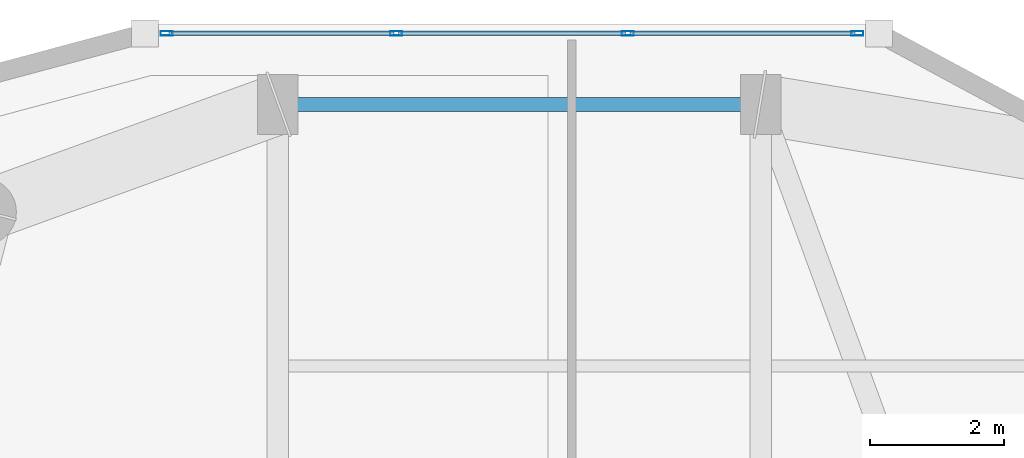
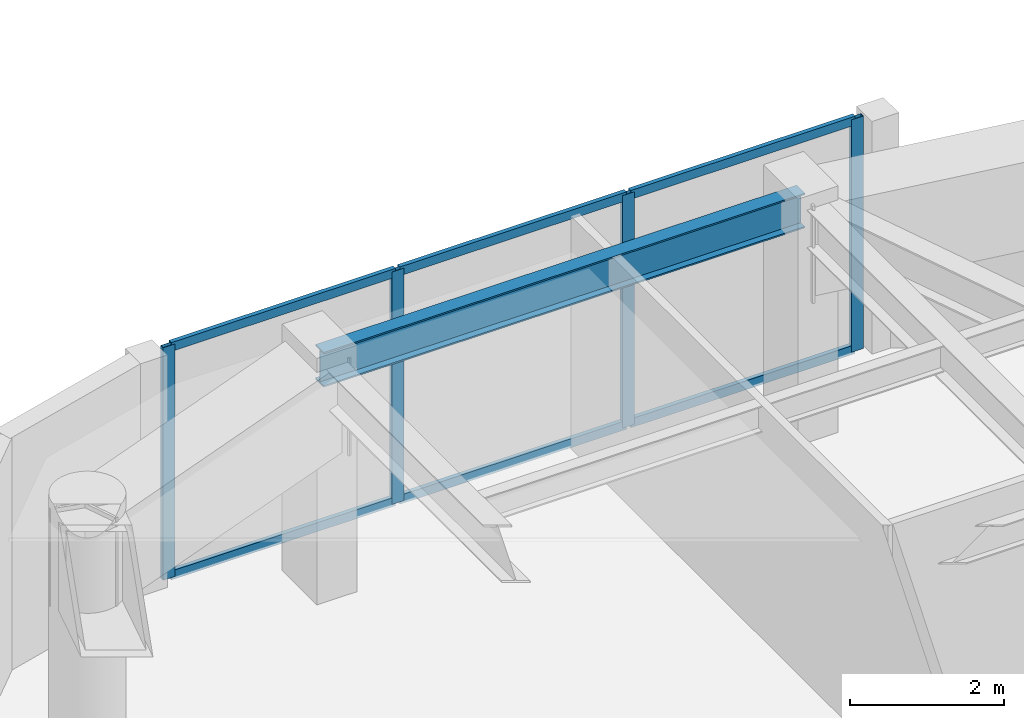
# One storey, part 10 of 21: 10 members, 1 beam, 1 element without a shape of its own.
"""IFC4 building model written with IfcOpenShell, lengths in metres."""

from ifc_helpers import new_model, si_unit, direction, frame, origin, origin_2d, place, context, subcontext, project, spatial, hollow_rectangle, i_section, extrude, material, layer, layer_set, material_profile, profile_set, type_object, element, aggregate, save


model = new_model("IFC4")

# Units and contexts
model_context = context("Model", 3, precision=1e-05, world=origin(), true_north=direction((0.0, 1.0)))
body_context = subcontext(model_context, "Body", "Model", "MODEL_VIEW")
ifc_project = project(units=[si_unit("LENGTHUNIT", "METRE"), si_unit("AREAUNIT", "SQUARE_METRE"), si_unit("VOLUMEUNIT", "CUBIC_METRE"), si_unit("PLANEANGLEUNIT", "RADIAN"), si_unit("MASSUNIT", "GRAM", prefix="KILO")], contexts=[model_context])

# Site, building, storey
site_placement = place(None, origin())
site = spatial("IfcSite", under=ifc_project, at=site_placement, CompositionType="ELEMENT")
building_placement = place(site_placement, origin())
building = spatial("IfcBuilding", under=site, at=building_placement, Name="Kiyonajd Concourse Tower", CompositionType="ELEMENT")
storey_placement = place(building_placement, frame((0.0, 0.0, 231.0)))
storey = spatial("IfcBuildingStorey", under=building, at=storey_placement, Name="L58", CompositionType="ELEMENT", Elevation=231.0)

# Beam
ifc_material_1 = material(Name="Steel ASTM A992 Grade 50", Category="steel")
ifc_material_profile_1 = material_profile(ifc_material_1, i_section(OverallWidth=0.214111328125, OverallDepth=0.549072265625, WebThickness=0.0146484375, FlangeThickness=0.023681640625, at=origin_2d()), Name="W530X138")
ifc_profile_set_1 = profile_set([ifc_material_profile_1], Name="Steel ASTM A992 Grade 50")
beam_type = type_object("IfcBeamType", Name="BM-SPAN-530A", PredefinedType="SPANDREL", material=ifc_profile_set_1)
beam_placement = place(storey_placement, frame((39.60009765625, 61.199951171875, 3.405517578125), z_axis=(-1.0, 0.0, 0.0), x_axis=(0.0, -1.0, 0.0)))
element("IfcBeam", 1, at=beam_placement, inside=storey, type_object=beam_type, Name="L58 Perimeter Bundled Tube Spandrel", PredefinedType="SPANDREL", context=body_context, shape_type="SweptSolid", body=[
    extrude(i_section(OverallWidth=0.214111328125, OverallDepth=0.549072265625, WebThickness=0.0146484375, FlangeThickness=0.023681640625, at=origin_2d()), origin(), (0.0, 0.0, 1.0), 7.2001953125),
])

# Curtain wall, members
ifc_material_2 = material(Name="Thermally Broken Anodised Aluminium", Category="aluminium")
ifc_layer = layer(ifc_material_2, 0.179931640625)
ifc_layer_set = layer_set([ifc_layer], Name="Thermally Broken Anodised Aluminium")
curtain_wall_type = type_object("IfcCurtainWallType", Name="CW-SYS-04", PredefinedType="NOTDEFINED", material=ifc_layer_set)
curtain_wall_placement = place(storey_placement, origin())
curtain_wall = element("IfcCurtainWall", 2, at=curtain_wall_placement, inside=storey, type_object=curtain_wall_type, Name="L58 Unitised Curtain Wall CW4", PredefinedType="NOTDEFINED")
ifc_material_profile_2 = material_profile(ifc_material_2, hollow_rectangle(XDim=0.06494140625, YDim=0.179931640625, WallThickness=0.00390625, at=origin_2d()), Name="MULL-65x180")
ifc_profile_set_2 = profile_set([ifc_material_profile_2], Name="Thermally Broken Anodised Aluminium")
member_type_1 = type_object("IfcMemberType", Name="MB-CW-MULL1", PredefinedType="MULLION", material=ifc_profile_set_2)
member_1_placement = place(storey_placement, frame((30.740966796875, 62.260009765625, 0.0), z_axis=(0.0, 0.0, 1.0), x_axis=(0.0, 1.0, 0.0)))
member_1 = element("IfcMember", 3, at=member_1_placement, type_object=member_type_1, Name="CW4 mullion 1", PredefinedType="MULLION", context=body_context, shape_type="SweptSolid", body=[
    extrude(hollow_rectangle(XDim=0.06494140625, YDim=0.179931640625, WallThickness=0.00390625, at=origin_2d()), origin(), (0.0, 0.0, 1.0), 3.679931640625),
])
member_2_placement = place(storey_placement, frame((34.163818359375, 62.260009765625, 0.0), z_axis=(0.0, 0.0, 1.0), x_axis=(0.0, 1.0, 0.0)))
member_2 = element("IfcMember", 4, at=member_2_placement, type_object=member_type_1, Name="CW4 mullion 2", PredefinedType="MULLION", context=body_context, shape_type="SweptSolid", body=[
    extrude(hollow_rectangle(XDim=0.06494140625, YDim=0.179931640625, WallThickness=0.00390625, at=origin_2d()), origin(), (0.0, 0.0, 1.0), 3.679931640625),
])
member_3_placement = place(storey_placement, frame((37.619384765625, 62.260009765625, 0.0), z_axis=(0.0, 0.0, 1.0), x_axis=(0.0, 1.0, 0.0)))
member_3 = element("IfcMember", 5, at=member_3_placement, type_object=member_type_1, Name="CW4 mullion 3", PredefinedType="MULLION", context=body_context, shape_type="SweptSolid", body=[
    extrude(hollow_rectangle(XDim=0.06494140625, YDim=0.179931640625, WallThickness=0.00390625, at=origin_2d()), origin(), (0.0, 0.0, 1.0), 3.679931640625),
])
member_4_placement = place(storey_placement, frame((41.042236328125, 62.260009765625, 0.0), z_axis=(0.0, 0.0, 1.0), x_axis=(0.0, 1.0, 0.0)))
member_4 = element("IfcMember", 6, at=member_4_placement, type_object=member_type_1, Name="CW4 mullion 4", PredefinedType="MULLION", context=body_context, shape_type="SweptSolid", body=[
    extrude(hollow_rectangle(XDim=0.06494140625, YDim=0.179931640625, WallThickness=0.00390625, at=origin_2d()), origin(), (0.0, 0.0, 1.0), 3.679931640625),
])
ifc_material_profile_3 = material_profile(ifc_material_2, hollow_rectangle(XDim=0.06494140625, YDim=0.139892578125, WallThickness=0.00390625, at=origin_2d()), Name="TRAN-65x140")
ifc_profile_set_3 = profile_set([ifc_material_profile_3], Name="Thermally Broken Anodised Aluminium")
member_type_2 = type_object("IfcMemberType", Name="MB-CW-TRAN1", PredefinedType="USERDEFINED", material=ifc_profile_set_3)
member_5_placement = place(storey_placement, frame((30.7734375, 62.260009765625, 0.032470703125), z_axis=(1.0, 0.0, 0.0), x_axis=(0.0, 1.0, 0.0)))
member_5 = element("IfcMember", 7, at=member_5_placement, type_object=member_type_2, Name="CW4 transom 1.1", ObjectType="TRANSOM", PredefinedType="USERDEFINED", context=body_context, shape_type="SweptSolid", body=[
    extrude(hollow_rectangle(XDim=0.06494140625, YDim=0.139892578125, WallThickness=0.00390625, at=origin_2d()), origin(), (0.0, 0.0, 1.0), 3.35791015625),
])
member_6_placement = place(storey_placement, frame((30.7734375, 62.260009765625, 3.6474609375), z_axis=(1.0, 0.0, 0.0), x_axis=(0.0, 1.0, 0.0)))
member_6 = element("IfcMember", 8, at=member_6_placement, type_object=member_type_2, Name="CW4 transom 1.2", ObjectType="TRANSOM", PredefinedType="USERDEFINED", context=body_context, shape_type="SweptSolid", body=[
    extrude(hollow_rectangle(XDim=0.06494140625, YDim=0.139892578125, WallThickness=0.00390625, at=origin_2d()), origin(), (0.0, 0.0, 1.0), 3.35791015625),
])
member_7_placement = place(storey_placement, frame((34.1962890625, 62.260009765625, 0.032470703125), z_axis=(1.0, 0.0, 0.0), x_axis=(0.0, 1.0, 0.0)))
member_7 = element("IfcMember", 9, at=member_7_placement, type_object=member_type_2, Name="CW4 transom 2.1", ObjectType="TRANSOM", PredefinedType="USERDEFINED", context=body_context, shape_type="SweptSolid", body=[
    extrude(hollow_rectangle(XDim=0.06494140625, YDim=0.139892578125, WallThickness=0.00390625, at=origin_2d()), origin(), (0.0, 0.0, 1.0), 3.390380859375),
])
member_8_placement = place(storey_placement, frame((34.1962890625, 62.260009765625, 3.6474609375), z_axis=(1.0, 0.0, 0.0), x_axis=(0.0, 1.0, 0.0)))
member_8 = element("IfcMember", 10, at=member_8_placement, type_object=member_type_2, Name="CW4 transom 2.2", ObjectType="TRANSOM", PredefinedType="USERDEFINED", context=body_context, shape_type="SweptSolid", body=[
    extrude(hollow_rectangle(XDim=0.06494140625, YDim=0.139892578125, WallThickness=0.00390625, at=origin_2d()), origin(), (0.0, 0.0, 1.0), 3.390380859375),
])
member_9_placement = place(storey_placement, frame((37.65185546875, 62.260009765625, 0.032470703125), z_axis=(1.0, 0.0, 0.0), x_axis=(0.0, 1.0, 0.0)))
member_9 = element("IfcMember", 11, at=member_9_placement, type_object=member_type_2, Name="CW4 transom 3.1", ObjectType="TRANSOM", PredefinedType="USERDEFINED", context=body_context, shape_type="SweptSolid", body=[
    extrude(hollow_rectangle(XDim=0.06494140625, YDim=0.139892578125, WallThickness=0.00390625, at=origin_2d()), origin(), (0.0, 0.0, 1.0), 3.35791015625),
])
member_10_placement = place(storey_placement, frame((37.65185546875, 62.260009765625, 3.6474609375), z_axis=(1.0, 0.0, 0.0), x_axis=(0.0, 1.0, 0.0)))
member_10 = element("IfcMember", 12, at=member_10_placement, type_object=member_type_2, Name="CW4 transom 3.2", ObjectType="TRANSOM", PredefinedType="USERDEFINED", context=body_context, shape_type="SweptSolid", body=[
    extrude(hollow_rectangle(XDim=0.06494140625, YDim=0.139892578125, WallThickness=0.00390625, at=origin_2d()), origin(), (0.0, 0.0, 1.0), 3.35791015625),
])
aggregate(curtain_wall, [member_1, member_2, member_3, member_4, member_5, member_6, member_7, member_8, member_9, member_10])

save(model, "model.ifc")
